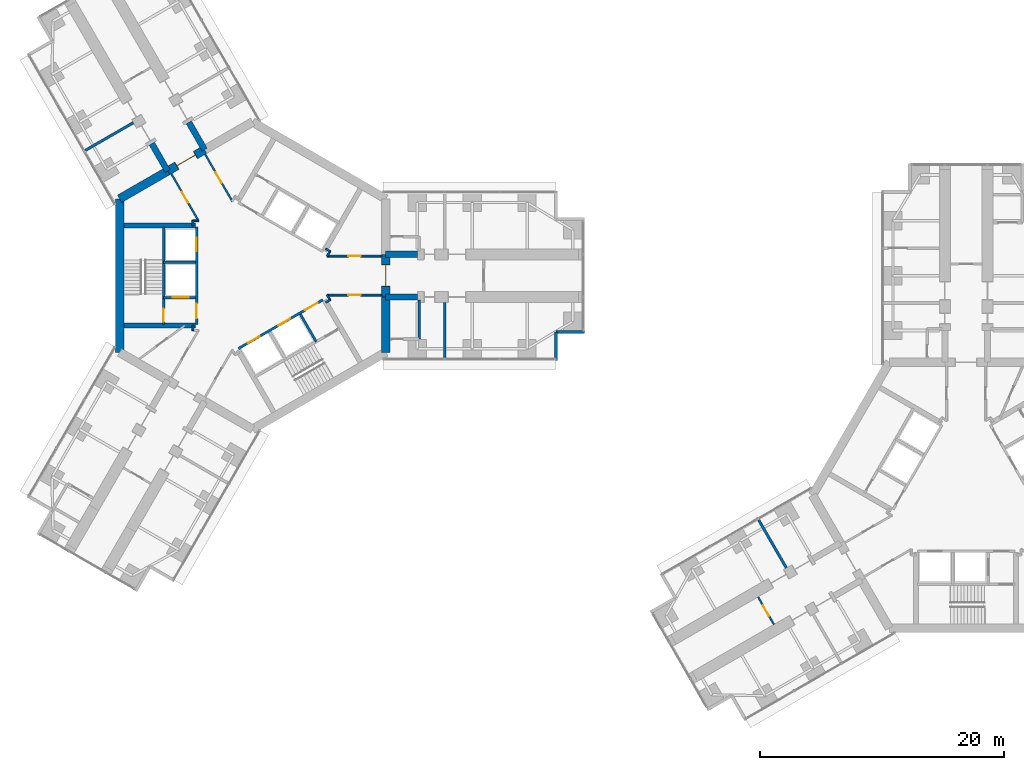
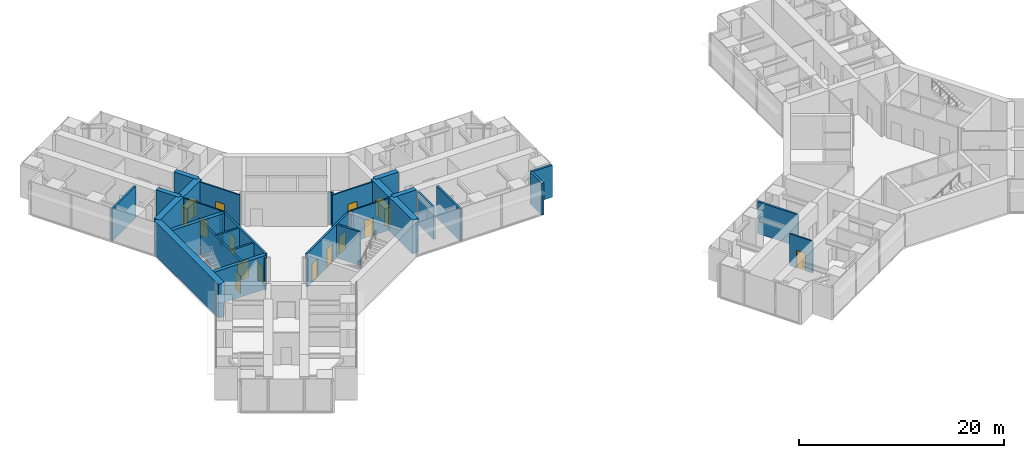
# One storey, part 17 of 23: 35 walls, 14 doors, 14 openings.
"""IFC4 building model written with IfcOpenShell, lengths in metres."""

from ifc_helpers import new_model, si_unit, direction, frame, frame_2d, origin, place, context, subcontext, project, spatial, rectangle, extrude, material, layer, layer_set, type_object, element, fill, save


model = new_model("IFC4")

# Units and contexts
model_context = context("Model", 3, precision=1e-05, world=origin(), true_north=direction((0.0, 1.0)))
body_context = subcontext(model_context, "Body", "Model", "MODEL_VIEW")
ifc_project = project(units=[si_unit("LENGTHUNIT", "METRE"), si_unit("AREAUNIT", "SQUARE_METRE"), si_unit("VOLUMEUNIT", "CUBIC_METRE"), si_unit("PLANEANGLEUNIT", "RADIAN"), si_unit("MASSUNIT", "GRAM", prefix="KILO")], contexts=[model_context])

# Site, building, storey
site_placement = place(None, origin())
site = spatial("IfcSite", under=ifc_project, at=site_placement, CompositionType="ELEMENT")
building_placement = place(site_placement, origin())
building = spatial("IfcBuilding", under=site, at=building_placement, Name="Upepo Twin Towers", CompositionType="ELEMENT")
storey_placement = place(building_placement, frame((0.0, 0.0, 24.5)))
storey = spatial("IfcBuildingStorey", under=building, at=storey_placement, Name="L05", CompositionType="ELEMENT", Elevation=24.5)

# Walls
ifc_material_1 = material(Name="Concrete blockwork, plastered both faces", Category="masonry")
ifc_layer_1 = layer(ifc_material_1, 0.215087890625)
ifc_layer_set_1 = layer_set([ifc_layer_1], Name="Blockwork partition 215")
wall_type_1 = type_object("IfcWallType", Name="Blockwork partition 215", PredefinedType="PARTITIONING", material=ifc_layer_set_1)
wall_1_placement = place(storey_placement, frame((15.75, -2.199951171875, 0.0), z_axis=(0.0, 0.0, 1.0), x_axis=(0.0, -1.0, 0.0)))
element("IfcWall", 1, at=wall_1_placement, inside=storey, type_object=wall_type_1, Name="T1 partition AR at 15.75", PredefinedType="PARTITIONING", context=body_context, shape_type="SweptSolid", body=[
    extrude(rectangle(XDim=4.550048828125, YDim=0.215087890625, at=frame_2d((2.27490234375, 0.0))), origin(), (0.0, 0.0, 1.0), 3.800048828125),
])
wall_2_placement = place(storey_placement, frame((13.657958984375, -2.0, 0.0), z_axis=(0.0, 0.0, 1.0), x_axis=(0.0, -1.0, 0.0)))
element("IfcWall", 2, at=wall_2_placement, inside=storey, type_object=wall_type_1, Name="T1 WC bay partition AR end at 13.66", PredefinedType="PARTITIONING", context=body_context, shape_type="SweptSolid", body=[
    extrude(rectangle(XDim=3.199951171875, YDim=0.215087890625, at=frame_2d((1.60009765625, 0.0))), origin(), (0.0, 0.0, 1.0), 3.800048828125),
])
for number, where, z_axis, x_axis, name in (
    (3, (-9.7802734375, 12.539794921875, 0.0), (0.0, 0.0, 1.0), (-0.866035472144, -0.499982560684, 0.0), "T1 partition BL at 15.75"),
    (4, (43.760009765625, -23.9697265625, 0.0), (0.0, 0.0, 1.0), (-0.499982560684, 0.866035472144, 0.0), "T2 partition BR at 15.75"),
):
    element("IfcWall", number, at=place(storey_placement, frame(where, z_axis=z_axis, x_axis=x_axis)), inside=storey, type_object=wall_type_1, Name=name, PredefinedType="PARTITIONING", context=body_context, shape_type="SweptSolid", body=[
        extrude(rectangle(XDim=4.550048828125, YDim=0.215087890625, at=frame_2d((2.27490234375, 0.0))), origin(), (0.0, 0.0, 1.0), 3.800048828125),
    ])
ifc_material_2 = material(Name="Concrete C60/75", Category="concrete")
ifc_layer_2 = layer(ifc_material_2, 0.5)
ifc_layer_set_2 = layer_set([ifc_layer_2], Name="Concrete C60/75")
wall_type_2 = type_object("IfcWallType", Name="Buttress wall 500 RC", PredefinedType="SHEAR", material=ifc_layer_set_2)
for number, where, z_axis, x_axis, name in (
    (5, (10.908447265625, 1.75, 0.0), (0.0, 0.0, 1.0), (1.0, 0.0, 0.0), "T1 wing A buttress wall L"),
    (6, (10.908447265625, -1.75, 0.0), (0.0, 0.0, 1.0), (1.0, 0.0, 0.0), "T1 wing A buttress wall R"),
):
    element("IfcWall", number, at=place(storey_placement, frame(where, z_axis=z_axis, x_axis=x_axis)), inside=storey, type_object=wall_type_2, Name=name, PredefinedType="SHEAR", context=body_context, shape_type="SweptSolid", body=[
        extrude(rectangle(XDim=2.591552734375, YDim=0.5, at=frame_2d((1.2958984375, 0.0))), origin(), (0.0, 0.0, 1.0), 4.0),
    ])
for number, where, z_axis, x_axis, name in (
    (7, (-6.9697265625, 8.57177734375, 0.0), (0.0, 0.0, 1.0), (-0.499988811324, 0.866031863473, 0.0), "T1 wing B buttress wall L"),
    (8, (-3.938720703125, 10.32177734375, 0.0), (0.0, 0.0, 1.0), (-0.499918158782, 0.866072649678, 0.0), "T1 wing B buttress wall R"),
):
    element("IfcWall", number, at=place(storey_placement, frame(where, z_axis=z_axis, x_axis=x_axis)), inside=storey, type_object=wall_type_2, Name=name, PredefinedType="SHEAR", context=body_context, shape_type="SweptSolid", body=[
        extrude(rectangle(XDim=2.591796875, YDim=0.5, at=frame_2d((1.2958984375, 0.0))), origin(), (0.0, 0.0, 1.0), 4.0),
    ])
ifc_material_3 = material(Name="Concrete C60/75", Category="concrete")
ifc_layer_3 = layer(ifc_material_3, 0.699951171875)
ifc_layer_set_3 = layer_set([ifc_layer_3], Name="Concrete C60/75")
wall_type_3 = type_object("IfcWallType", Name="Core wall 700 RC", PredefinedType="SHEAR", material=ifc_layer_set_3)
wall_3_placement = place(storey_placement, frame((10.908447265625, -6.2978515625, 0.0), z_axis=(0.0, 0.0, 1.0), x_axis=(0.0, 1.0, 0.0)))
element("IfcWall", 9, at=wall_3_placement, inside=storey, type_object=wall_type_3, Name="T1 core wall 000 R", PredefinedType="SHEAR", context=body_context, shape_type="SweptSolid", body=[
    extrude(rectangle(XDim=4.5478515625, YDim=0.699951171875, at=frame_2d((2.27392578125, 0.0))), origin(), (0.0, 0.0, 1.0), 4.0),
])

# Wall, opening, door
wall_4_placement = place(storey_placement, frame((10.908447265625, -1.75, 0.0), z_axis=(0.0, 0.0, 1.0), x_axis=(0.0, 1.0, 0.0)))
wall_4 = element("IfcWall", 10, at=wall_4_placement, inside=storey, type_object=wall_type_3, Name="T1 core wall 000", PredefinedType="SHEAR", context=body_context, shape_type="SweptSolid", body=[
    extrude(rectangle(XDim=3.5, YDim=0.699951171875, at=frame_2d((1.75, 0.0))), origin(), (0.0, 0.0, 1.0), 4.0),
])
opening_1_placement = place(wall_4_placement, frame((0.85009765625, 0.0, 0.0)))
opening_1 = element("IfcOpeningElement", 11, at=opening_1_placement, cuts=wall_4, Name="Opening D2", PredefinedType="OPENING", context=body_context, shape_type="SweptSolid", body=[
    extrude(rectangle(XDim=1.800048828125, YDim=2.10009765625, at=frame_2d((0.89990234375, 1.050048828125))), frame((0.0, 0.35986328125, 0.0), z_axis=(0.0, -1.0, 0.0), x_axis=(1.0, 0.0, 0.0)), (0.0, 0.0, 1.0), 0.719970703125),
])
ifc_material_4 = material(Name="Timber doorset", Category="wood")
door_type_1 = type_object("IfcDoorType", Name="Corridor double door 1800 FD60", OperationType="DOUBLE_DOOR_DOUBLE_SWING", PredefinedType="DOOR", material=ifc_material_4)
door_1_placement = place(opening_1_placement, origin())
door_1 = element("IfcDoor", 12, at=door_1_placement, inside=storey, type_object=door_type_1, Name="T1 L05 wing A corridor door", OperationType="DOUBLE_DOOR_DOUBLE_SWING", OverallHeight=2.10009765625, OverallWidth=1.800048828125, PredefinedType="DOOR", context=body_context, shape_type="SweptSolid", body=[
    extrude(rectangle(XDim=1.720048828125, YDim=2.06009765625, at=frame_2d((0.89990234375, 1.030029296875))), frame((0.0, 0.02490234375, 0.0), z_axis=(0.0, -1.0, 0.0), x_axis=(1.0, 0.0, 0.0)), (0.0, 0.0, 1.0), 0.050048828125),
    extrude(rectangle(XDim=0.04, YDim=2.10009765625, at=frame_2d((0.02001953125, 1.050048828125))), frame((0.0, 0.349609375, 0.0), z_axis=(0.0, -1.0, 0.0), x_axis=(1.0, 0.0, 0.0)), (0.0, 0.0, 1.0), 0.699462890625),
    extrude(rectangle(XDim=0.04, YDim=2.10009765625, at=frame_2d((1.780029296875, 1.050048828125))), frame((0.0, 0.349609375, 0.0), z_axis=(0.0, -1.0, 0.0), x_axis=(1.0, 0.0, 0.0)), (0.0, 0.0, 1.0), 0.699462890625),
    extrude(rectangle(XDim=1.720048828125, YDim=0.04, at=frame_2d((0.89990234375, 2.080078125))), frame((0.0, 0.349609375, 0.0), z_axis=(0.0, -1.0, 0.0), x_axis=(1.0, 0.0, 0.0)), (0.0, 0.0, 1.0), 0.699462890625),
])
fill(opening_1, door_1)

wall_5_placement = place(storey_placement, frame((-3.938720703125, 10.32177734375, 0.0), z_axis=(0.0, 0.0, 1.0), x_axis=(-0.866019471182, -0.500010275428, 0.0)))
wall_5 = element("IfcWall", 13, at=wall_5_placement, inside=storey, type_object=wall_type_3, Name="T1 core wall 120", PredefinedType="SHEAR", context=body_context, shape_type="SweptSolid", body=[
    extrude(rectangle(XDim=3.5, YDim=0.699951171875, at=frame_2d((1.75, 0.0))), origin(), (0.0, 0.0, 1.0), 4.0),
])
opening_2_placement = place(wall_5_placement, frame((0.85009765625, 0.0, 0.0)))
opening_2 = element("IfcOpeningElement", 14, at=opening_2_placement, cuts=wall_5, Name="Opening D2", PredefinedType="OPENING", context=body_context, shape_type="SweptSolid", body=[
    extrude(rectangle(XDim=1.800048828125, YDim=2.10009765625, at=frame_2d((0.89990234375, 1.050048828125))), frame((0.0, 0.35986328125, 0.0), z_axis=(0.0, -1.0, 0.0), x_axis=(1.0, 0.0, 0.0)), (0.0, 0.0, 1.0), 0.719970703125),
])
door_2_placement = place(opening_2_placement, origin())
door_2 = element("IfcDoor", 15, at=door_2_placement, inside=storey, type_object=door_type_1, Name="T1 L05 wing B corridor door", OperationType="DOUBLE_DOOR_DOUBLE_SWING", OverallHeight=2.10009765625, OverallWidth=1.800048828125, PredefinedType="DOOR", context=body_context, shape_type="SweptSolid", body=[
    extrude(rectangle(XDim=1.720048828125, YDim=2.06009765625, at=frame_2d((0.89990234375, 1.030029296875))), frame((0.0, 0.02490234375, 0.0), z_axis=(0.0, -1.0, 0.0), x_axis=(1.0, 0.0, 0.0)), (0.0, 0.0, 1.0), 0.050048828125),
    extrude(rectangle(XDim=0.04, YDim=2.10009765625, at=frame_2d((0.02001953125, 1.050048828125))), frame((0.0, 0.349609375, 0.0), z_axis=(0.0, -1.0, 0.0), x_axis=(1.0, 0.0, 0.0)), (0.0, 0.0, 1.0), 0.699462890625),
    extrude(rectangle(XDim=0.04, YDim=2.10009765625, at=frame_2d((1.780029296875, 1.050048828125))), frame((0.0, 0.349609375, 0.0), z_axis=(0.0, -1.0, 0.0), x_axis=(1.0, 0.0, 0.0)), (0.0, 0.0, 1.0), 0.699462890625),
    extrude(rectangle(XDim=1.720048828125, YDim=0.04, at=frame_2d((0.89990234375, 2.080078125))), frame((0.0, 0.349609375, 0.0), z_axis=(0.0, -1.0, 0.0), x_axis=(1.0, 0.0, 0.0)), (0.0, 0.0, 1.0), 0.699462890625),
])
fill(opening_2, door_2)

# Walls
wall_6_placement = place(storey_placement, frame((-6.9697265625, 8.57177734375, 0.0), z_axis=(0.0, 0.0, 1.0), x_axis=(-0.866034513004, -0.499984222037, 0.0)))
element("IfcWall", 16, at=wall_6_placement, inside=storey, type_object=wall_type_3, Name="T1 core wall 120 L", PredefinedType="SHEAR", context=body_context, shape_type="SweptSolid", body=[
    extrude(rectangle(XDim=4.548095703125, YDim=0.699951171875, at=frame_2d((2.27392578125, 0.0))), origin(), (0.0, 0.0, 1.0), 4.0),
])
wall_7_placement = place(storey_placement, frame((-10.908447265625, 6.2978515625, 0.0), z_axis=(0.0, 0.0, 1.0), x_axis=(0.0, -1.0, 0.0)))
element("IfcWall", 17, at=wall_7_placement, inside=storey, type_object=wall_type_3, Name="T1 core wall 180", PredefinedType="SHEAR", context=body_context, shape_type="SweptSolid", body=[
    extrude(rectangle(XDim=12.595703125, YDim=0.699951171875, at=frame_2d((6.2978515625, 0.0))), origin(), (0.0, 0.0, 1.0), 4.0),
])
ifc_material_5 = material(Name="Blockwork with anodised aluminium cladding", Category="masonry")
ifc_layer_4 = layer(ifc_material_5, 0.25)
ifc_layer_set_4 = layer_set([ifc_layer_4], Name="Notch cladding wall 250, pale metal")
wall_type_4 = type_object("IfcWallType", Name="Notch cladding wall 250, pale metal", PredefinedType="STANDARD", material=ifc_layer_set_4)
for number, where, z_axis, x_axis, name in (
    (18, (24.875, -6.949951171875, 0.0), (0.0, 0.0, 1.0), (0.0, 1.0, 0.0), "T1 L05 wing A notch wall R1"),
    (19, (24.875, -4.625, 0.0), (0.0, 0.0, 1.0), (1.0, 0.0, 0.0), "T1 L05 wing A notch wall R2"),
):
    element("IfcWall", number, at=place(storey_placement, frame(where, z_axis=z_axis, x_axis=x_axis)), inside=storey, type_object=wall_type_4, Name=name, PredefinedType="STANDARD", context=body_context, shape_type="SweptSolid", body=[
        extrude(rectangle(XDim=2.324951171875, YDim=0.25, at=frame_2d((1.16259765625, 0.0))), origin(), (0.0, 0.0, 1.0), 3.800048828125),
    ])

# Wall, openings, doors
ifc_material_6 = material(Name="Concrete C40/50", Category="concrete")
ifc_layer_5 = layer(ifc_material_6, 0.199951171875)
ifc_layer_set_5 = layer_set([ifc_layer_5], Name="Concrete C40/50")
wall_type_5 = type_object("IfcWallType", Name="Shaft wall 200 RC", PredefinedType="SHEAR", material=ifc_layer_set_5)
wall_8_placement = place(storey_placement, frame((-4.60009765625, 4.0, 0.0), z_axis=(0.0, 0.0, 1.0), x_axis=(0.0, -1.0, 0.0)))
wall_8 = element("IfcWall", 20, at=wall_8_placement, inside=storey, type_object=wall_type_5, Name="T1 core W180 front wall", PredefinedType="SHEAR", context=body_context, shape_type="SweptSolid", body=[
    extrude(rectangle(XDim=8.0, YDim=0.199951171875, at=frame_2d((4.0, 0.0))), origin(), (0.0, 0.0, 1.0), 4.0),
])
opening_3_placement = place(wall_8_placement, frame((6.300048828125, 0.0, 0.0)))
opening_3 = element("IfcOpeningElement", 21, at=opening_3_placement, cuts=wall_8, Name="Opening D4", PredefinedType="OPENING", context=body_context, shape_type="SweptSolid", body=[
    extrude(rectangle(XDim=1.199951171875, YDim=2.10009765625, at=frame_2d((0.60009765625, 1.050048828125))), frame((0.0, 0.10986328125, 0.0), z_axis=(0.0, -1.0, 0.0), x_axis=(1.0, 0.0, 0.0)), (0.0, 0.0, 1.0), 0.219970703125),
])
opening_4_placement = place(wall_8_placement, frame((0.89990234375, 0.0, 0.0)))
opening_4 = element("IfcOpeningElement", 22, at=opening_4_placement, cuts=wall_8, Name="Opening LD1", PredefinedType="OPENING", context=body_context, shape_type="SweptSolid", body=[
    extrude(rectangle(XDim=1.10009765625, YDim=2.199951171875, at=frame_2d((0.550048828125, 1.10009765625))), frame((0.0, 0.10986328125, 0.0), z_axis=(0.0, -1.0, 0.0), x_axis=(1.0, 0.0, 0.0)), (0.0, 0.0, 1.0), 0.219970703125),
])
ifc_material_7 = material(Name="Steel doorset", Category="steel")
door_type_2 = type_object("IfcDoorType", Name="Lift landing door 1100", OperationType="DOUBLE_DOOR_SLIDING", PredefinedType="DOOR", material=ifc_material_7)
door_3_placement = place(opening_4_placement, origin())
door_3 = element("IfcDoor", 23, at=door_3_placement, inside=storey, type_object=door_type_2, Name="T1 L05 lift SV1 landing door", OperationType="DOUBLE_DOOR_SLIDING", OverallHeight=2.199951171875, OverallWidth=1.10009765625, PredefinedType="DOOR", context=body_context, shape_type="SweptSolid", body=[
    extrude(rectangle(XDim=1.10009765625, YDim=2.199951171875, at=frame_2d((0.550048828125, 1.10009765625))), frame((0.0, 0.02490234375, 0.0), z_axis=(0.0, -1.0, 0.0), x_axis=(1.0, 0.0, 0.0)), (0.0, 0.0, 1.0), 0.050048828125),
])
fill(opening_4, door_3)
ifc_material_8 = material(Name="Timber doorset", Category="wood")
door_type_3 = type_object("IfcDoorType", Name="Lobby door 1200 FD60", OperationType="SINGLE_SWING_LEFT", PredefinedType="DOOR", material=ifc_material_8)
door_4_placement = place(opening_3_placement, origin())
door_4 = element("IfcDoor", 24, at=door_4_placement, inside=storey, type_object=door_type_3, Name="T1 L05 W180 lobby door", OperationType="SINGLE_SWING_RIGHT", OverallHeight=2.10009765625, OverallWidth=1.199951171875, PredefinedType="DOOR", context=body_context, shape_type="SweptSolid", body=[
    extrude(rectangle(XDim=1.199951171875, YDim=2.10009765625, at=frame_2d((0.60009765625, 1.050048828125))), frame((0.0, 0.02490234375, 0.0), z_axis=(0.0, -1.0, 0.0), x_axis=(1.0, 0.0, 0.0)), (0.0, 0.0, 1.0), 0.050048828125),
])
fill(opening_3, door_4)

# Wall
wall_9_placement = place(storey_placement, frame((-4.699951171875, 1.10009765625, 0.0), z_axis=(0.0, 0.0, 1.0), x_axis=(-1.0, 0.0, 0.0)))
element("IfcWall", 25, at=wall_9_placement, inside=storey, type_object=wall_type_5, Name="T1 core W180 shaft divider", PredefinedType="SHEAR", context=body_context, shape_type="SweptSolid", body=[
    extrude(rectangle(XDim=2.60009765625, YDim=0.199951171875, at=frame_2d((1.300048828125, 0.0))), origin(), (0.0, 0.0, 1.0), 4.0),
])

# Wall, opening, door
wall_10_placement = place(storey_placement, frame((-4.699951171875, -1.800048828125, 0.0), z_axis=(0.0, 0.0, 1.0), x_axis=(-1.0, 0.0, 0.0)))
wall_10 = element("IfcWall", 26, at=wall_10_placement, inside=storey, type_object=wall_type_5, Name="T1 core W180 lobby wall", PredefinedType="SHEAR", context=body_context, shape_type="SweptSolid", body=[
    extrude(rectangle(XDim=2.60009765625, YDim=0.199951171875, at=frame_2d((1.300048828125, 0.0))), origin(), (0.0, 0.0, 1.0), 4.0),
])
opening_5_placement = place(wall_10_placement, frame((0.550048828125, 0.0, 0.0)))
opening_5 = element("IfcOpeningElement", 27, at=opening_5_placement, cuts=wall_10, Name="Opening LD2", PredefinedType="OPENING", context=body_context, shape_type="SweptSolid", body=[
    extrude(rectangle(XDim=1.300048828125, YDim=2.199951171875, at=frame_2d((0.64990234375, 1.10009765625))), frame((0.0, 0.10986328125, 0.0), z_axis=(0.0, -1.0, 0.0), x_axis=(1.0, 0.0, 0.0)), (0.0, 0.0, 1.0), 0.219970703125),
])
ifc_material_9 = material(Name="Steel doorset", Category="steel")
door_type_4 = type_object("IfcDoorType", Name="Firefighting lift landing door 1300", OperationType="DOUBLE_DOOR_SLIDING", PredefinedType="DOOR", material=ifc_material_9)
door_5_placement = place(opening_5_placement, origin())
door_5 = element("IfcDoor", 28, at=door_5_placement, inside=storey, type_object=door_type_4, Name="T1 L05 firefighting lift landing door", OperationType="DOUBLE_DOOR_SLIDING", OverallHeight=2.199951171875, OverallWidth=1.300048828125, PredefinedType="DOOR", context=body_context, shape_type="SweptSolid", body=[
    extrude(rectangle(XDim=1.300048828125, YDim=2.199951171875, at=frame_2d((0.64990234375, 1.10009765625))), frame((0.0, 0.02490234375, 0.0), z_axis=(0.0, -1.0, 0.0), x_axis=(1.0, 0.0, 0.0)), (0.0, 0.0, 1.0), 0.050048828125),
])
fill(opening_5, door_5)

wall_11_placement = place(storey_placement, frame((-7.300048828125, 4.0, 0.0), z_axis=(0.0, 0.0, 1.0), x_axis=(0.0, -1.0, 0.0)))
wall_11 = element("IfcWall", 29, at=wall_11_placement, inside=storey, type_object=wall_type_5, Name="T1 core W180 stair wall", PredefinedType="SHEAR", context=body_context, shape_type="SweptSolid", body=[
    extrude(rectangle(XDim=8.0, YDim=0.199951171875, at=frame_2d((4.0, 0.0))), origin(), (0.0, 0.0, 1.0), 4.0),
])
opening_6_placement = place(wall_11_placement, frame((6.699951171875, 0.0, 0.0)))
opening_6 = element("IfcOpeningElement", 30, at=opening_6_placement, cuts=wall_11, Name="Opening D3", PredefinedType="OPENING", context=body_context, shape_type="SweptSolid", body=[
    extrude(rectangle(XDim=1.10009765625, YDim=2.10009765625, at=frame_2d((0.550048828125, 1.050048828125))), frame((0.0, 0.10986328125, 0.0), z_axis=(0.0, -1.0, 0.0), x_axis=(1.0, 0.0, 0.0)), (0.0, 0.0, 1.0), 0.219970703125),
])
ifc_material_10 = material(Name="Timber doorset", Category="wood")
door_type_5 = type_object("IfcDoorType", Name="Stair door 1100 FD60", OperationType="SINGLE_SWING_LEFT", PredefinedType="DOOR", material=ifc_material_10)
door_6_placement = place(opening_6_placement, origin())
door_6 = element("IfcDoor", 31, at=door_6_placement, inside=storey, type_object=door_type_5, Name="T1 L05 stair door", OperationType="SINGLE_SWING_RIGHT", OverallHeight=2.10009765625, OverallWidth=1.10009765625, PredefinedType="DOOR", context=body_context, shape_type="SweptSolid", body=[
    extrude(rectangle(XDim=1.10009765625, YDim=2.10009765625, at=frame_2d((0.550048828125, 1.050048828125))), frame((0.0, 0.02490234375, 0.0), z_axis=(0.0, -1.0, 0.0), x_axis=(1.0, 0.0, 0.0)), (0.0, 0.0, 1.0), 0.050048828125),
])
fill(opening_6, door_6)

# Wall, openings, doors
wall_12_placement = place(storey_placement, frame((-1.1640625, -5.983642578125, 0.0), z_axis=(0.0, 0.0, 1.0), x_axis=(0.866026010844, 0.49999894854, 0.0)))
wall_12 = element("IfcWall", 32, at=wall_12_placement, inside=storey, type_object=wall_type_5, Name="T1 core W300 front wall", PredefinedType="SHEAR", context=body_context, shape_type="SweptSolid", body=[
    extrude(rectangle(XDim=8.0, YDim=0.199951171875, at=frame_2d((4.0, 0.0))), origin(), (0.0, 0.0, 1.0), 4.0),
])
opening_7_placement = place(wall_12_placement, frame((6.300048828125, 0.0, 0.0)))
opening_7 = element("IfcOpeningElement", 33, at=opening_7_placement, cuts=wall_12, Name="Opening D4", PredefinedType="OPENING", context=body_context, shape_type="SweptSolid", body=[
    extrude(rectangle(XDim=1.199951171875, YDim=2.10009765625, at=frame_2d((0.60009765625, 1.050048828125))), frame((0.0, 0.10986328125, 0.0), z_axis=(0.0, -1.0, 0.0), x_axis=(1.0, 0.0, 0.0)), (0.0, 0.0, 1.0), 0.219970703125),
])
opening_8_placement = place(wall_12_placement, frame((0.89990234375, 0.0, 0.0)))
opening_8 = element("IfcOpeningElement", 34, at=opening_8_placement, cuts=wall_12, Name="Opening LD1", PredefinedType="OPENING", context=body_context, shape_type="SweptSolid", body=[
    extrude(rectangle(XDim=1.10009765625, YDim=2.199951171875, at=frame_2d((0.550048828125, 1.10009765625))), frame((0.0, 0.10986328125, 0.0), z_axis=(0.0, -1.0, 0.0), x_axis=(1.0, 0.0, 0.0)), (0.0, 0.0, 1.0), 0.219970703125),
])
opening_9_placement = place(wall_12_placement, frame((3.800048828125, 0.0, 0.0)))
opening_9 = element("IfcOpeningElement", 35, at=opening_9_placement, cuts=wall_12, Name="Opening LD1", PredefinedType="OPENING", context=body_context, shape_type="SweptSolid", body=[
    extrude(rectangle(XDim=1.10009765625, YDim=2.199951171875, at=frame_2d((0.550048828125, 1.10009765625))), frame((0.0, 0.10986328125, 0.0), z_axis=(0.0, -1.0, 0.0), x_axis=(1.0, 0.0, 0.0)), (0.0, 0.0, 1.0), 0.219970703125),
])
door_7_placement = place(opening_8_placement, origin())
door_7 = element("IfcDoor", 36, at=door_7_placement, inside=storey, type_object=door_type_2, Name="T1 L05 lift LL1 landing door", OperationType="DOUBLE_DOOR_SLIDING", OverallHeight=2.199951171875, OverallWidth=1.10009765625, PredefinedType="DOOR", context=body_context, shape_type="SweptSolid", body=[
    extrude(rectangle(XDim=1.10009765625, YDim=2.199951171875, at=frame_2d((0.550048828125, 1.10009765625))), frame((0.0, 0.02490234375, 0.0), z_axis=(0.0, -1.0, 0.0), x_axis=(1.0, 0.0, 0.0)), (0.0, 0.0, 1.0), 0.050048828125),
])
fill(opening_8, door_7)
door_8_placement = place(opening_9_placement, origin())
door_8 = element("IfcDoor", 37, at=door_8_placement, inside=storey, type_object=door_type_2, Name="T1 L05 lift LL2 landing door", OperationType="DOUBLE_DOOR_SLIDING", OverallHeight=2.199951171875, OverallWidth=1.10009765625, PredefinedType="DOOR", context=body_context, shape_type="SweptSolid", body=[
    extrude(rectangle(XDim=1.10009765625, YDim=2.199951171875, at=frame_2d((0.550048828125, 1.10009765625))), frame((0.0, 0.02490234375, 0.0), z_axis=(0.0, -1.0, 0.0), x_axis=(1.0, 0.0, 0.0)), (0.0, 0.0, 1.0), 0.050048828125),
])
fill(opening_9, door_8)
door_9_placement = place(opening_7_placement, origin())
door_9 = element("IfcDoor", 38, at=door_9_placement, inside=storey, type_object=door_type_3, Name="T1 L05 W300 lobby door", OperationType="SINGLE_SWING_RIGHT", OverallHeight=2.10009765625, OverallWidth=1.199951171875, PredefinedType="DOOR", context=body_context, shape_type="SweptSolid", body=[
    extrude(rectangle(XDim=1.199951171875, YDim=2.10009765625, at=frame_2d((0.60009765625, 1.050048828125))), frame((0.0, 0.02490234375, 0.0), z_axis=(0.0, -1.0, 0.0), x_axis=(1.0, 0.0, 0.0)), (0.0, 0.0, 1.0), 0.050048828125),
])
fill(opening_7, door_9)

# Walls
wall_13_placement = place(storey_placement, frame((3.908935546875, -3.17041015625, 0.0), z_axis=(0.0, 0.0, 1.0), x_axis=(0.49997716683, -0.86603858612, 0.0)))
element("IfcWall", 39, at=wall_13_placement, inside=storey, type_object=wall_type_5, Name="T1 core W300 lobby wall", PredefinedType="SHEAR", context=body_context, shape_type="SweptSolid", body=[
    extrude(rectangle(XDim=2.599609375, YDim=0.199951171875, at=frame_2d((1.2998046875, 0.0))), origin(), (0.0, 0.0, 1.0), 4.0),
])
ifc_material_11 = material(Name="Concrete C40/50", Category="concrete")
ifc_layer_6 = layer(ifc_material_11, 0.39990234375)
ifc_layer_set_6 = layer_set([ifc_layer_6], Name="Concrete C40/50")
wall_type_6 = type_object("IfcWallType", Name="Shaft wall 400 RC", PredefinedType="SHEAR", material=ifc_layer_set_6)
for number, where, z_axis, x_axis, name in (
    (40, (-4.699951171875, -4.10009765625, 0.0), (0.0, 0.0, 1.0), (-1.0, 0.0, 0.0), "T1 core W180 side wall N"),
    (41, (-4.699951171875, 4.10009765625, 0.0), (0.0, 0.0, 1.0), (-1.0, 0.0, 0.0), "T1 core W180 side wall S"),
):
    element("IfcWall", number, at=place(storey_placement, frame(where, z_axis=z_axis, x_axis=x_axis)), inside=storey, type_object=wall_type_6, Name=name, PredefinedType="SHEAR", context=body_context, shape_type="SweptSolid", body=[
        extrude(rectangle(XDim=5.8583984375, YDim=0.39990234375, at=frame_2d((2.92919921875, 0.0))), origin(), (0.0, 0.0, 1.0), 4.0),
    ])
ifc_material_12 = material(Name="Gypsum board on steel studs", Category="steel")
ifc_layer_7 = layer(ifc_material_12, 0.14990234375)
ifc_layer_set_7 = layer_set([ifc_layer_7], Name="Teaching partition 150 acoustic")
wall_type_7 = type_object("IfcWallType", Name="Teaching partition 150 acoustic", PredefinedType="PARTITIONING", material=ifc_layer_set_7)
for number, where, z_axis, x_axis, name in (
    (42, (6.364501953125, -1.9833984375, 0.0), (0.0, 0.0, 1.0), (-0.865892400268, -0.500230298122, 0.0), "T1 core room partition 1"),
    (43, (-4.89990234375, -4.52001953125, 0.0), (0.0, 0.0, 1.0), (0.0, 1.0, 0.0), "T1 core room partition 7"),
    (44, (-4.89990234375, 4.090087890625, 0.0), (0.0, 0.0, 1.0), (0.0, 1.0, 0.0), "T1 core room partition 8"),
):
    element("IfcWall", number, at=place(storey_placement, frame(where, z_axis=z_axis, x_axis=x_axis)), inside=storey, type_object=wall_type_7, Name=name, PredefinedType="PARTITIONING", context=body_context, shape_type="SweptSolid", body=[
        extrude(rectangle(XDim=0.429931640625, YDim=0.14990234375, at=frame_2d((0.21484375, 0.0))), origin(), (0.0, 0.0, 1.0), 3.800048828125),
    ])
wall_14_placement = place(storey_placement, frame((-4.919921875, 4.5, 0.0), z_axis=(0.0, 0.0, 1.0), x_axis=(1.0, 0.0, 0.0)))
element("IfcWall", 45, at=wall_14_placement, inside=storey, type_object=wall_type_7, Name="T1 core room partition 9", PredefinedType="PARTITIONING", context=body_context, shape_type="SweptSolid", body=[
    extrude(rectangle(XDim=0.494384765625, YDim=0.14990234375, at=frame_2d((0.2470703125, 0.0))), origin(), (0.0, 0.0, 1.0), 3.800048828125),
])

# Wall, opening, door
wall_15_placement = place(storey_placement, frame((-4.435546875, 4.482666015625, 0.0), z_axis=(0.0, 0.0, 1.0), x_axis=(-0.500017246033, 0.866015446554, 0.0)))
wall_15 = element("IfcWall", 46, at=wall_15_placement, inside=storey, type_object=wall_type_7, Name="T1 core room partition 10", PredefinedType="PARTITIONING", context=body_context, shape_type="SweptSolid", body=[
    extrude(rectangle(XDim=4.468505859375, YDim=0.14990234375, at=frame_2d((2.234375, 0.0))), origin(), (0.0, 0.0, 1.0), 3.800048828125),
])
opening_10_placement = place(wall_15_placement, frame((1.744384765625, 0.0, 0.0)))
opening_10 = element("IfcOpeningElement", 47, at=opening_10_placement, cuts=wall_15, Name="Opening D1", PredefinedType="OPENING", context=body_context, shape_type="SweptSolid", body=[
    extrude(rectangle(XDim=1.0, YDim=2.10009765625, at=frame_2d((0.5, 1.050048828125))), frame((0.0, 0.0849609375, 0.0), z_axis=(0.0, -1.0, 0.0), x_axis=(1.0, 0.0, 0.0)), (0.0, 0.0, 1.0), 0.169921875),
])
ifc_material_13 = material(Name="Timber doorset", Category="wood")
door_type_6 = type_object("IfcDoorType", Name="Room door 1000 FD30", OperationType="SINGLE_SWING_LEFT", PredefinedType="DOOR", material=ifc_material_13)
door_10_placement = place(opening_10_placement, origin())
door_10 = element("IfcDoor", 48, at=door_10_placement, inside=storey, type_object=door_type_6, Name="T1 L05 core room door K7", OperationType="SINGLE_SWING_RIGHT", OverallHeight=2.10009765625, OverallWidth=1.0, PredefinedType="DOOR", context=body_context, shape_type="SweptSolid", body=[
    extrude(rectangle(XDim=1.0, YDim=2.10009765625, at=frame_2d((0.5, 1.050048828125))), frame((0.0, 0.02490234375, 0.0), z_axis=(0.0, -1.0, 0.0), x_axis=(1.0, 0.0, 0.0)), (0.0, 0.0, 1.0), 0.050048828125),
])
fill(opening_10, door_10)

wall_16_placement = place(storey_placement, frame((-3.8984375, 9.952392578125, 0.0), z_axis=(0.0, 0.0, 1.0), x_axis=(0.499999927604, -0.866025445582, 0.0)))
wall_16 = element("IfcWall", 49, at=wall_16_placement, inside=storey, type_object=wall_type_7, Name="T1 core room partition 11", PredefinedType="PARTITIONING", context=body_context, shape_type="SweptSolid", body=[
    extrude(rectangle(XDim=4.46826171875, YDim=0.14990234375, at=frame_2d((2.234130859375, 0.0))), origin(), (0.0, 0.0, 1.0), 3.800048828125),
])
opening_11_placement = place(wall_16_placement, frame((1.72412109375, 0.0, 0.0)))
opening_11 = element("IfcOpeningElement", 50, at=opening_11_placement, cuts=wall_16, Name="Opening D1", PredefinedType="OPENING", context=body_context, shape_type="SweptSolid", body=[
    extrude(rectangle(XDim=1.0, YDim=2.10009765625, at=frame_2d((0.5, 1.050048828125))), frame((0.0, 0.0849609375, 0.0), z_axis=(0.0, -1.0, 0.0), x_axis=(1.0, 0.0, 0.0)), (0.0, 0.0, 1.0), 0.169921875),
])
door_11_placement = place(opening_11_placement, origin())
door_11 = element("IfcDoor", 51, at=door_11_placement, inside=storey, type_object=door_type_6, Name="T1 L05 core room door K6", OperationType="SINGLE_SWING_LEFT", OverallHeight=2.10009765625, OverallWidth=1.0, PredefinedType="DOOR", context=body_context, shape_type="SweptSolid", body=[
    extrude(rectangle(XDim=1.0, YDim=2.10009765625, at=frame_2d((0.5, 1.050048828125))), frame((0.0, 0.02490234375, 0.0), z_axis=(0.0, -1.0, 0.0), x_axis=(1.0, 0.0, 0.0)), (0.0, 0.0, 1.0), 0.050048828125),
])
fill(opening_11, door_11)

# Walls
wall_17_placement = place(storey_placement, frame((5.9921875, 2.198486328125, 0.0), z_axis=(0.0, 0.0, 1.0), x_axis=(0.865892400268, -0.500230298122, 0.0)))
element("IfcWall", 52, at=wall_17_placement, inside=storey, type_object=wall_type_7, Name="T1 core room partition 14", PredefinedType="PARTITIONING", context=body_context, shape_type="SweptSolid", body=[
    extrude(rectangle(XDim=0.429931640625, YDim=0.14990234375, at=frame_2d((0.21484375, 0.0))), origin(), (0.0, 0.0, 1.0), 3.800048828125),
])
wall_18_placement = place(storey_placement, frame((6.357177734375, 2.0107421875, 0.0), z_axis=(0.0, 0.0, 1.0), x_axis=(-0.50033519877, -0.865831790172, 0.0)))
element("IfcWall", 53, at=wall_18_placement, inside=storey, type_object=wall_type_7, Name="T1 core room partition 15", PredefinedType="PARTITIONING", context=body_context, shape_type="SweptSolid", body=[
    extrude(rectangle(XDim=0.494384765625, YDim=0.14990234375, at=frame_2d((0.2470703125, 0.0))), origin(), (0.0, 0.0, 1.0), 3.800048828125),
])

# Wall, opening, door
wall_19_placement = place(storey_placement, frame((6.099853515625, 1.60009765625, 0.0), z_axis=(0.0, 0.0, 1.0), x_axis=(1.0, 0.0, 0.0)))
wall_19 = element("IfcWall", 54, at=wall_19_placement, inside=storey, type_object=wall_type_7, Name="T1 core room partition 16", PredefinedType="PARTITIONING", context=body_context, shape_type="SweptSolid", body=[
    extrude(rectangle(XDim=4.468505859375, YDim=0.14990234375, at=frame_2d((2.234375, 0.0))), origin(), (0.0, 0.0, 1.0), 3.800048828125),
])
opening_12_placement = place(wall_19_placement, frame((1.744384765625, 0.0, 0.0)))
opening_12 = element("IfcOpeningElement", 55, at=opening_12_placement, cuts=wall_19, Name="Opening D1", PredefinedType="OPENING", context=body_context, shape_type="SweptSolid", body=[
    extrude(rectangle(XDim=1.0, YDim=2.10009765625, at=frame_2d((0.5, 1.050048828125))), frame((0.0, 0.0849609375, 0.0), z_axis=(0.0, -1.0, 0.0), x_axis=(1.0, 0.0, 0.0)), (0.0, 0.0, 1.0), 0.169921875),
])
door_12_placement = place(opening_12_placement, origin())
door_12 = element("IfcDoor", 56, at=door_12_placement, inside=storey, type_object=door_type_6, Name="T1 L05 core room door K5", OperationType="SINGLE_SWING_RIGHT", OverallHeight=2.10009765625, OverallWidth=1.0, PredefinedType="DOOR", context=body_context, shape_type="SweptSolid", body=[
    extrude(rectangle(XDim=1.0, YDim=2.10009765625, at=frame_2d((0.5, 1.050048828125))), frame((0.0, 0.02490234375, 0.0), z_axis=(0.0, -1.0, 0.0), x_axis=(1.0, 0.0, 0.0)), (0.0, 0.0, 1.0), 0.050048828125),
])
fill(opening_12, door_12)

wall_20_placement = place(storey_placement, frame((10.568359375, -1.60009765625, 0.0), z_axis=(0.0, 0.0, 1.0), x_axis=(-1.0, 0.0, 0.0)))
wall_20 = element("IfcWall", 57, at=wall_20_placement, inside=storey, type_object=wall_type_7, Name="T1 core room partition 17", PredefinedType="PARTITIONING", context=body_context, shape_type="SweptSolid", body=[
    extrude(rectangle(XDim=4.468505859375, YDim=0.14990234375, at=frame_2d((2.234375, 0.0))), origin(), (0.0, 0.0, 1.0), 3.800048828125),
])
opening_13_placement = place(wall_20_placement, frame((1.72412109375, 0.0, 0.0)))
opening_13 = element("IfcOpeningElement", 58, at=opening_13_placement, cuts=wall_20, Name="Opening D1", PredefinedType="OPENING", context=body_context, shape_type="SweptSolid", body=[
    extrude(rectangle(XDim=1.0, YDim=2.10009765625, at=frame_2d((0.5, 1.050048828125))), frame((0.0, 0.0849609375, 0.0), z_axis=(0.0, -1.0, 0.0), x_axis=(1.0, 0.0, 0.0)), (0.0, 0.0, 1.0), 0.169921875),
])
door_13_placement = place(opening_13_placement, origin())
door_13 = element("IfcDoor", 59, at=door_13_placement, inside=storey, type_object=door_type_6, Name="T1 L05 core room door K4", OperationType="SINGLE_SWING_LEFT", OverallHeight=2.10009765625, OverallWidth=1.0, PredefinedType="DOOR", context=body_context, shape_type="SweptSolid", body=[
    extrude(rectangle(XDim=1.0, YDim=2.10009765625, at=frame_2d((0.5, 1.050048828125))), frame((0.0, 0.02490234375, 0.0), z_axis=(0.0, -1.0, 0.0), x_axis=(1.0, 0.0, 0.0)), (0.0, 0.0, 1.0), 0.050048828125),
])
fill(opening_13, door_13)

# Wall
wall_21_placement = place(storey_placement, frame((6.10986328125, -1.582763671875, 0.0), z_axis=(0.0, 0.0, 1.0), x_axis=(0.50033519877, -0.865831790172, 0.0)))
element("IfcWall", 60, at=wall_21_placement, inside=storey, type_object=wall_type_7, Name="T1 core room partition 18", PredefinedType="PARTITIONING", context=body_context, shape_type="SweptSolid", body=[
    extrude(rectangle(XDim=0.494384765625, YDim=0.14990234375, at=frame_2d((0.2470703125, 0.0))), origin(), (0.0, 0.0, 1.0), 3.800048828125),
])

# Wall, opening, door
wall_22_placement = place(storey_placement, frame((41.438720703125, -26.34912109375, 0.0), z_axis=(0.0, 0.0, 1.0), x_axis=(0.500006934395, -0.866021400173, 0.0)))
wall_22 = element("IfcWall", 61, at=wall_22_placement, inside=storey, type_object=wall_type_7, Name="T2 corridor end partition B at 18.95", PredefinedType="PARTITIONING", context=body_context, shape_type="SweptSolid", body=[
    extrude(rectangle(XDim=2.60009765625, YDim=0.14990234375, at=frame_2d((1.300048828125, 0.0))), origin(), (0.0, 0.0, 1.0), 3.800048828125),
])
opening_14_placement = place(wall_22_placement, frame((0.800048828125, 0.0, 0.0)))
opening_14 = element("IfcOpeningElement", 62, at=opening_14_placement, cuts=wall_22, Name="Opening D1", PredefinedType="OPENING", context=body_context, shape_type="SweptSolid", body=[
    extrude(rectangle(XDim=1.0, YDim=2.10009765625, at=frame_2d((0.5, 1.050048828125))), frame((0.0, 0.0849609375, 0.0), z_axis=(0.0, -1.0, 0.0), x_axis=(1.0, 0.0, 0.0)), (0.0, 0.0, 1.0), 0.169921875),
])
door_14_placement = place(opening_14_placement, origin())
door_14 = element("IfcDoor", 63, at=door_14_placement, inside=storey, type_object=door_type_6, Name="T2 L05 breakout study room door", OperationType="SINGLE_SWING_LEFT", OverallHeight=2.10009765625, OverallWidth=1.0, PredefinedType="DOOR", context=body_context, shape_type="SweptSolid", body=[
    extrude(rectangle(XDim=1.0, YDim=2.10009765625, at=frame_2d((0.5, 1.050048828125))), frame((0.0, 0.02490234375, 0.0), z_axis=(0.0, -1.0, 0.0), x_axis=(1.0, 0.0, 0.0)), (0.0, 0.0, 1.0), 0.050048828125),
])
fill(opening_14, door_14)

save(model, "model.ifc")
